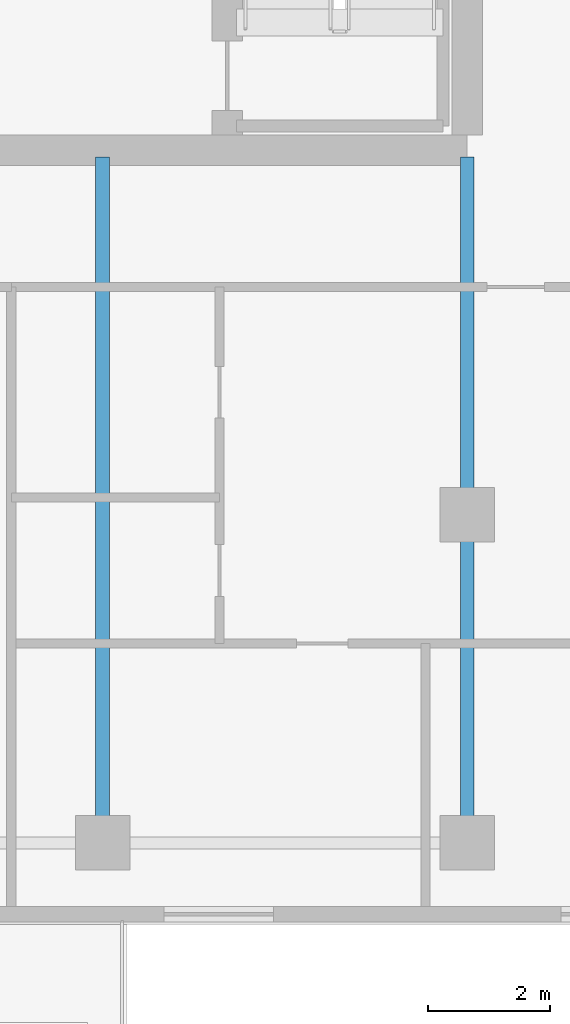
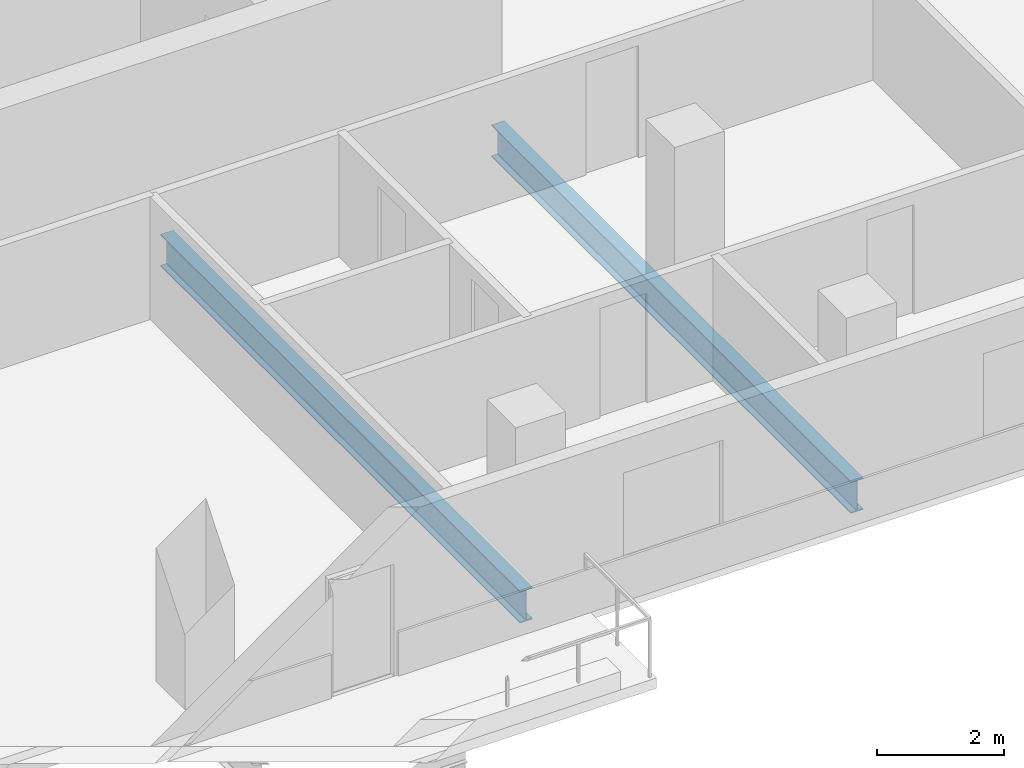
# One storey, part 14 of 29: 2 beams.
"""IFC4 building model written with IfcOpenShell, lengths in metres."""

from ifc_helpers import new_model, si_unit, direction, frame, origin, origin_2d, place, context, subcontext, project, spatial, i_section, extrude, material, material_profile, profile_set, type_object, element, save


model = new_model("IFC4")

# Units and contexts
model_context = context("Model", 3, precision=1e-05, world=origin(), true_north=direction((0.0, 1.0)))
body_context = subcontext(model_context, "Body", "Model", "MODEL_VIEW")
ifc_project = project(units=[si_unit("LENGTHUNIT", "METRE"), si_unit("AREAUNIT", "SQUARE_METRE"), si_unit("VOLUMEUNIT", "CUBIC_METRE"), si_unit("PLANEANGLEUNIT", "RADIAN"), si_unit("MASSUNIT", "GRAM", prefix="KILO")], contexts=[model_context])

# Site, building, storey
site_placement = place(None, origin())
site = spatial("IfcSite", under=ifc_project, at=site_placement, CompositionType="ELEMENT")
building_placement = place(site_placement, origin())
building = spatial("IfcBuilding", under=site, at=building_placement, Name="Tanjung Sevakor Pilgrim Tower", CompositionType="ELEMENT")
storey_placement = place(building_placement, frame((0.0, 0.0, 151.800048828125)))
storey = spatial("IfcBuildingStorey", under=building, at=storey_placement, Name="L42", CompositionType="ELEMENT", Elevation=151.800048828125)

# Beams
ifc_material = material(Name="Steel S355J2", Category="steel")
ifc_material_profile = material_profile(ifc_material, i_section(OverallWidth=0.22900390625, OverallDepth=0.6123046875, WebThickness=0.011962890625, FlangeThickness=0.01953125, FilletRadius=0.0126953125, at=origin_2d()))
ifc_profile_set = profile_set([ifc_material_profile], Name="Steel S355J2")
beam_type = type_object("IfcBeamType", Name="BM-B-G4-UB_610x229x125", PredefinedType="BEAM", material=ifc_profile_set)
for number, where, z_axis, x_axis, name in (
    (1, (84.0, 13.199951171875, -0.526123046875), (0.0, 1.0, 0.0), (-1.0, 0.0, 0.0), "L42 MAIN Girder 011"),
    (2, (90.0, 13.199951171875, -0.526123046875), (0.0, 1.0, 0.0), (-1.0, 0.0, 0.0), "L42 MAIN Girder 013"),
):
    element("IfcBeam", number, at=place(storey_placement, frame(where, z_axis=z_axis, x_axis=x_axis)), inside=storey, type_object=beam_type, Name=name, PredefinedType="BEAM", context=body_context, shape_type="SweptSolid", body=[
        extrude(i_section(OverallWidth=0.22900390625, OverallDepth=0.6123046875, WebThickness=0.011962890625, FlangeThickness=0.01953125, FilletRadius=0.0126953125, at=origin_2d()), origin(), (0.0, 0.0, 1.0), 11.284912109375),
    ])

save(model, "model.ifc")
